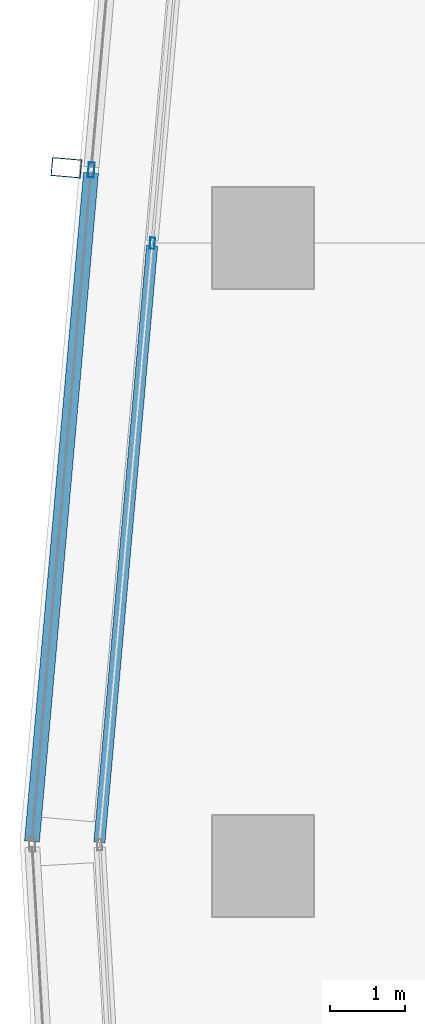
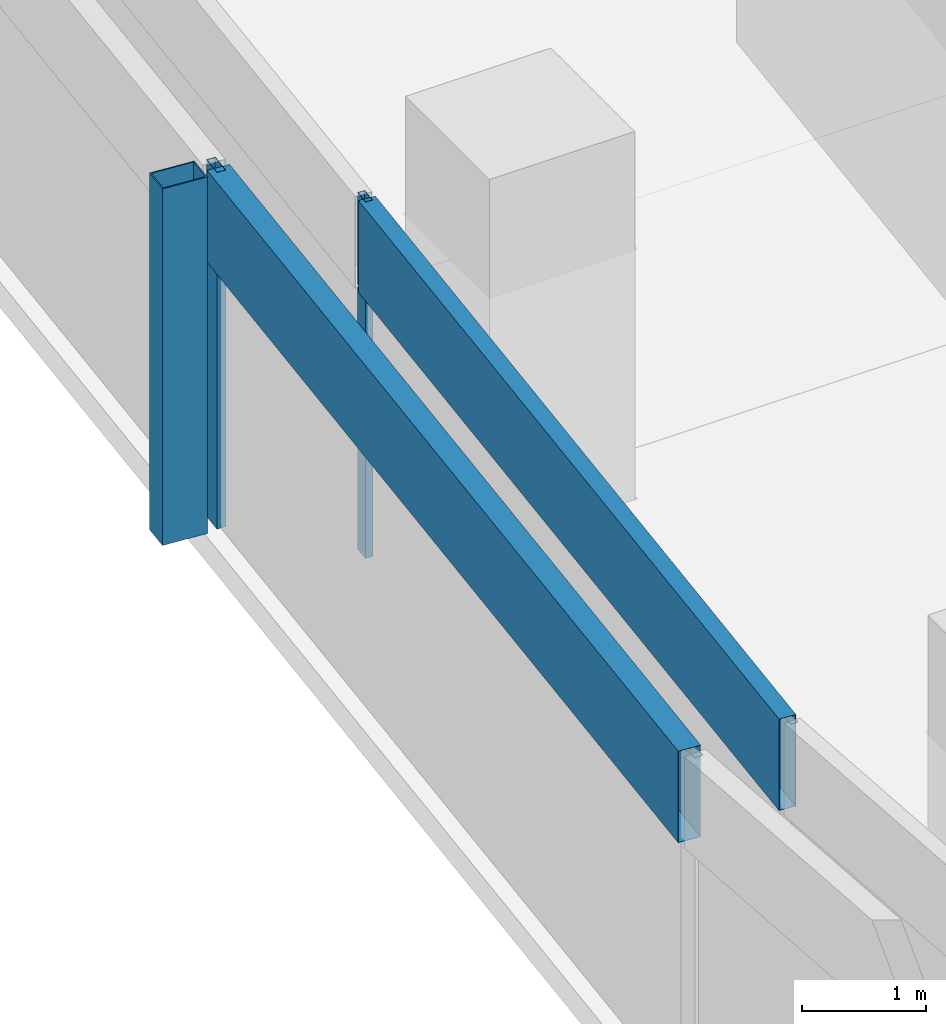
# One storey, part 16 of 40: 5 members, 2 elements without a shape of their own.
"""IFC4 building model written with IfcOpenShell, lengths in metres."""

import ifcopenshell
import ifcopenshell.guid

model = None  # the IFC model being written
_history = None  # IfcOwnerHistory: only IFC2X3 demands one
_inside = {}  # id of a spatial element -> (the spatial element, [elements in it])
_under = {}  # id of a project, library or spatial element -> (it, [spatial elements below it])
_declared = {}  # id of a project -> (the project, [libraries it declares])
_typed = {}  # id of a type object -> (the type object, [elements of that type])
_made_of = {}  # id of a material, layer set ... -> (it, [elements and type objects made of it])


def new_model(schema):
    """Start an empty IFC model of exactly this schema.

    Asked for "IFC4X3", IfcOpenShell would pick the latest addendum, in which some entities
    have other attributes; the version numbers below select the first issue.
    IFC2X3 requires an IfcOwnerHistory on every rooted entity: one is made here for all.
    """
    global model, _history
    if schema == "IFC4X3":
        model = ifcopenshell.file(schema_version=(4, 3, 0, 0))
    else:
        model = ifcopenshell.file(schema=schema)
    _inside.clear()
    _under.clear()
    _declared.clear()
    _typed.clear()
    _made_of.clear()
    _history = None
    if model.schema == "IFC2X3":
        org = make("IfcOrganization", Name="unknown")
        user = make(
            "IfcPersonAndOrganization",
            ThePerson=make("IfcPerson", FamilyName="unknown"),
            TheOrganization=org,
        )
        app = make(
            "IfcApplication",
            ApplicationDeveloper=org,
            Version="unknown",
            ApplicationFullName="unknown",
            ApplicationIdentifier="unknown",
        )
        _history = make(
            "IfcOwnerHistory",
            OwningUser=user,
            OwningApplication=app,
            ChangeAction="ADDED",
            CreationDate=0,
        )
    return model


def make(cls, **values):
    """One entity of the class cls with the attributes given. An attribute that is None is left unset."""
    return model.create_entity(
        cls, **{name: value for name, value in values.items() if value is not None}
    )


def rooted(cls, **values):
    """An entity with a GlobalId (a new one), such as an element, a storey or a relation."""
    return make(cls, GlobalId=ifcopenshell.guid.new(), OwnerHistory=_history, **values)


def si_unit(unit_type, name, prefix=None):
    """IfcSIUnit, for example si_unit("LENGTHUNIT", "METRE", prefix="MILLI")."""
    return make("IfcSIUnit", UnitType=unit_type, Prefix=prefix, Name=name)


def assignment(units):
    """IfcUnitAssignment: the units of a project."""
    return None if units is None else make("IfcUnitAssignment", Units=units)


def point(xyz):
    """IfcCartesianPoint."""
    return None if xyz is None else make("IfcCartesianPoint", Coordinates=xyz)


def direction(xyz):
    """IfcDirection."""
    return None if xyz is None else make("IfcDirection", DirectionRatios=xyz)


def frame(location, z_axis=None, x_axis=None):
    """IfcAxis2Placement3D, a coordinate frame: its origin and axes. An axis left out is left unset."""
    return make(
        "IfcAxis2Placement3D",
        Location=point(location),
        Axis=direction(z_axis),
        RefDirection=direction(x_axis),
    )


def frame_2d(location, x_axis=None):
    """IfcAxis2Placement2D, a coordinate frame in the plane: its origin and x axis."""
    return make(
        "IfcAxis2Placement2D", Location=point(location), RefDirection=direction(x_axis)
    )


def origin():
    """The frame at (0, 0, 0) with its axes left unset."""
    return frame((0.0, 0.0, 0.0))


def origin_2d():
    """The frame at (0, 0) in the plane with its x axis left unset."""
    return frame_2d((0.0, 0.0))


def place(relative_to, where):
    """IfcLocalPlacement: puts the frame where relative to a parent placement (None: the world)."""
    return make(
        "IfcLocalPlacement", PlacementRelTo=relative_to, RelativePlacement=where
    )


def context(
    kind, dimensions, precision=None, world=None, true_north=None, identifier=None
):
    """IfcGeometricRepresentationContext, for example the 3D "Model" context."""
    return make(
        "IfcGeometricRepresentationContext",
        ContextIdentifier=identifier,
        ContextType=kind,
        CoordinateSpaceDimension=dimensions,
        Precision=precision,
        WorldCoordinateSystem=world,
        TrueNorth=true_north,
    )


def subcontext(parent, identifier, kind, view, scale=None):
    """IfcGeometricRepresentationSubContext, for example "Body" below "Model"."""
    return make(
        "IfcGeometricRepresentationSubContext",
        ContextIdentifier=identifier,
        ContextType=kind,
        ParentContext=parent,
        TargetScale=scale,
        TargetView=view,
    )


def project(units=None, contexts=None):
    """IfcProject with its units and contexts."""
    return rooted(
        "IfcProject",
        Name="project",
        RepresentationContexts=contexts,
        UnitsInContext=assignment(units),
    )


def spatial(cls, under=None, at=None, **own):
    """A site, building, storey or space (cls), placed at a placement, below another one or the project."""
    s = rooted(cls, ObjectPlacement=at, **own)
    if under is not None:
        _under.setdefault(under.id(), (under, []))[1].append(s)
    return s


def profile(cls, at=None, kind="AREA", **sizes):
    """A parametric profile (cls). Its sizes go by their IFC names, for example OverallWidth=200.0."""
    return make(cls, ProfileType=kind, Position=at, **sizes)


def hollow_rectangle(**sizes):
    """IfcRectangleHollowProfileDef."""
    return profile("IfcRectangleHollowProfileDef", **sizes)


def extrude(swept, where, along, depth):
    """IfcExtrudedAreaSolid: the profile swept, set in the frame where, extruded along a direction by depth."""
    return make(
        "IfcExtrudedAreaSolid",
        SweptArea=swept,
        Position=where,
        ExtrudedDirection=direction(along),
        Depth=depth,
    )


def shape(context_of_items, identifier, shape_type, items):
    """IfcShapeRepresentation: the items that make up one representation, for example the "Body"."""
    return make(
        "IfcShapeRepresentation",
        ContextOfItems=context_of_items,
        RepresentationIdentifier=identifier,
        RepresentationType=shape_type,
        Items=items,
    )


def material(Name=None, Category=None):
    """IfcMaterial."""
    return make("IfcMaterial", Name=Name, Category=Category)


def material_profile(
    of_material, cross_section, Name=None, Category=None, Priority=None
):
    """IfcMaterialProfile: a cross section and its material."""
    return make(
        "IfcMaterialProfile",
        Name=Name,
        Material=of_material,
        Profile=cross_section,
        Priority=Priority,
        Category=Category,
    )


def profile_set(profiles, Name=None, composite=None):
    """IfcMaterialProfileSet."""
    return make(
        "IfcMaterialProfileSet",
        Name=Name,
        MaterialProfiles=profiles,
        CompositeProfile=composite,
    )


def made_of(thing, what):
    """Note that an element or type object is made of a material, layer set ...; save() writes the relation."""
    if what is not None:
        _made_of.setdefault(what.id(), (what, []))[1].append(thing)
    return thing


def type_object(cls, material=None, **own):
    """A type object (cls), such as IfcWallType, which elements share."""
    return made_of(rooted(cls, **own), material)


def element(
    cls,
    number,
    at=None,
    inside=None,
    cuts=None,
    type_object=None,
    material=None,
    context=None,
    identifier="Body",
    shape_type=None,
    held_by="IfcProductDefinitionShape",
    body=None,
    shapes=None,
    **own,
):
    """One element of the class cls, such as IfcWall. Its Tag is "e" and its number.

    at: its placement. inside: the storey or other place that contains it. cuts: it is an
    opening in that element (IfcRelVoidsElement). A single representation is given by context,
    identifier, shape_type and body (its items); several are given by shapes. held_by: the class
    of the entity that holds the representations. save() writes the other relations.
    """
    e = rooted(cls, Tag="e%d" % number, ObjectPlacement=at, **own)
    if body is not None:
        shapes = [shape(context, identifier, shape_type, body)]
    if shapes is not None:
        e.Representation = make(held_by, Representations=shapes)
    if inside is not None:
        _inside.setdefault(inside.id(), (inside, []))[1].append(e)
    if cuts is not None:
        rooted(
            "IfcRelVoidsElement", RelatingBuildingElement=cuts, RelatedOpeningElement=e
        )
    if type_object is not None:
        _typed.setdefault(type_object.id(), (type_object, []))[1].append(e)
    return made_of(e, material)


def aggregate(whole, parts):
    """IfcRelAggregates: a whole, such as a stair, and the parts it consists of."""
    return rooted("IfcRelAggregates", RelatingObject=whole, RelatedObjects=parts)


def save(model, path):
    """Write the relations noted so far, then the file.

    IfcRelAggregates (storeys below a building ...), IfcRelContainedInSpatialStructure (elements
    in a storey), IfcRelDefinesByType, IfcRelAssociatesMaterial and IfcRelDeclares: one each for
    every whole, place, type object, material and project.
    """
    for whole, parts in _under.values():
        aggregate(whole, parts)
    for where, things in _inside.values():
        rooted(
            "IfcRelContainedInSpatialStructure",
            RelatedElements=things,
            RelatingStructure=where,
        )
    for kind, things in _typed.values():
        rooted("IfcRelDefinesByType", RelatedObjects=things, RelatingType=kind)
    for what, things in _made_of.values():
        rooted("IfcRelAssociatesMaterial", RelatedObjects=things, RelatingMaterial=what)
    for by, libraries in _declared.values():
        rooted("IfcRelDeclares", RelatingContext=by, RelatedDefinitions=libraries)
    model.write(path)


model = new_model("IFC4")

# Units and contexts
model_context = context("Model", 3, precision=1e-05, world=origin(), true_north=direction((0.0, 1.0)))
body_context = subcontext(model_context, "Body", "Model", "MODEL_VIEW")
ifc_project = project(units=[si_unit("LENGTHUNIT", "METRE"), si_unit("AREAUNIT", "SQUARE_METRE"), si_unit("VOLUMEUNIT", "CUBIC_METRE"), si_unit("PLANEANGLEUNIT", "RADIAN"), si_unit("MASSUNIT", "GRAM", prefix="KILO")], contexts=[model_context])

# Site, building, storey
site_placement = place(None, origin())
site = spatial("IfcSite", under=ifc_project, at=site_placement, CompositionType="ELEMENT")
building_placement = place(site_placement, origin())
building = spatial("IfcBuilding", under=site, at=building_placement, Name="Rekha Terrace Tower", CompositionType="ELEMENT")
storey_placement = place(building_placement, frame((0.0, 0.0, 213.949951171875)))
storey = spatial("IfcBuildingStorey", under=building, at=storey_placement, Name="L54", CompositionType="ELEMENT", Elevation=213.949951171875)

# Curtain wall, member
ifc_material_1 = material(Name="Aluminium framing", Category="aluminium")
curtain_wall_type_1 = type_object("IfcCurtainWallType", Name="CW2 double skin outer glazing", PredefinedType="USERDEFINED", material=ifc_material_1)
curtain_wall_1_placement = place(storey_placement, origin())
curtain_wall_1 = element("IfcCurtainWall", 1, at=curtain_wall_1_placement, inside=storey, type_object=curtain_wall_type_1, Name="CW2 double skin outer glazing", ObjectType="DOUBLE SKIN OUTER GLAZING", PredefinedType="USERDEFINED")
ifc_material_2 = material(Name="Steel S355 with fluorocarbon finish", Category="steel")
ifc_material_profile_1 = material_profile(ifc_material_2, hollow_rectangle(XDim=0.25, YDim=0.39990234375, WallThickness=0.012451171875, at=origin_2d()), Name="RHS400x250x12.5")
ifc_profile_set_1 = profile_set([ifc_material_profile_1], Name="Steel S355 with fluorocarbon finish")
member_type_1 = type_object("IfcMemberType", Name="BL1 facade blade RHS 400 x 250", PredefinedType="USERDEFINED", material=ifc_profile_set_1)
member_1_placement = place(storey_placement, frame((5.77001953125, 51.341796875, 0.0), z_axis=(0.0, 0.0, 1.0), x_axis=(-0.087957249501, -0.996124250413, 0.0)))
member_1 = element("IfcMember", 2, at=member_1_placement, type_object=member_type_1, Name="Facade blade", ObjectType="FACADE BLADE", PredefinedType="USERDEFINED", context=body_context, shape_type="SweptSolid", body=[
    extrude(hollow_rectangle(XDim=0.25, YDim=0.39990234375, WallThickness=0.012451171875, at=origin_2d()), origin(), (0.0, 0.0, 1.0), 3.5),
])

# Curtain wall, members
curtain_wall_type_2 = type_object("IfcCurtainWallType", Name="CW1 double skin inner glazing", PredefinedType="USERDEFINED", material=ifc_material_1)
curtain_wall_2_placement = place(storey_placement, origin())
curtain_wall_2 = element("IfcCurtainWall", 3, at=curtain_wall_2_placement, inside=storey, type_object=curtain_wall_type_2, Name="CW1 double skin inner glazing", ObjectType="DOUBLE SKIN INNER GLAZING", PredefinedType="USERDEFINED")
ifc_material_3 = material(Name="Aluminium mullion section", Category="aluminium")
ifc_material_profile_2 = material_profile(ifc_material_3, hollow_rectangle(XDim=0.06494140625, YDim=0.14990234375, WallThickness=0.00390625, at=origin_2d()), Name="AL RHS 65x150")
ifc_profile_set_2 = profile_set([ifc_material_profile_2], Name="Aluminium mullion section")
member_type_2 = type_object("IfcMemberType", Name="CW1 mullion RHS 65 x 150", PredefinedType="MULLION", material=ifc_profile_set_2)
member_2_placement = place(storey_placement, frame((6.920654296875, 50.331787109375, 0.0), z_axis=(0.0, 0.0, 1.0), x_axis=(0.996124185422, -0.087957985523, 0.0)))
member_2 = element("IfcMember", 4, at=member_2_placement, type_object=member_type_2, Name="CW1 mullion 2", PredefinedType="MULLION", context=body_context, shape_type="SweptSolid", body=[
    extrude(hollow_rectangle(XDim=0.06494140625, YDim=0.14990234375, WallThickness=0.00390625, at=origin_2d()), origin(), (0.0, 0.0, 1.0), 3.5),
])
ifc_material_4 = material(Name="Insulated aluminium spandrel box", Category="aluminium")
ifc_material_profile_3 = material_profile(ifc_material_4, hollow_rectangle(XDim=0.14990234375, YDim=0.89990234375, WallThickness=0.0029296875, at=origin_2d()), Name="AL SPANDREL BOX 150x900")
ifc_profile_set_3 = profile_set([ifc_material_profile_3], Name="Insulated aluminium spandrel box")
member_type_3 = type_object("IfcMemberType", Name="CW1 spandrel transom 150 x 900", PredefinedType="USERDEFINED", material=ifc_profile_set_3)
member_3_placement = place(storey_placement, frame((6.917724609375, 50.29931640625, 3.050048828125), z_axis=(-0.087959586596, -0.996124044046, 0.0), x_axis=(0.996124044046, -0.087959586596, 0.0)))
member_3 = element("IfcMember", 5, at=member_3_placement, type_object=member_type_3, Name="CW1 spandrel transom 2", ObjectType="TRANSOM", PredefinedType="USERDEFINED", context=body_context, shape_type="SweptSolid", body=[
    extrude(hollow_rectangle(XDim=0.14990234375, YDim=0.89990234375, WallThickness=0.0029296875, at=origin_2d()), origin(), (0.0, 0.0, 1.0), 8.015869140625),
])
aggregate(curtain_wall_2, [member_2, member_3])

# Member
ifc_material_profile_4 = material_profile(ifc_material_3, hollow_rectangle(XDim=0.080078125, YDim=0.199951171875, WallThickness=0.00390625, at=origin_2d()), Name="AL RHS 80x200")
ifc_profile_set_4 = profile_set([ifc_material_profile_4], Name="Aluminium mullion section")
member_type_4 = type_object("IfcMemberType", Name="CW2 mullion RHS 80 x 200", PredefinedType="MULLION", material=ifc_profile_set_4)
member_4_placement = place(storey_placement, frame((6.103759765625, 51.312255859375, 0.0), z_axis=(0.0, 0.0, 1.0), x_axis=(0.996124185428, -0.087957985453, 0.0)))
member_4 = element("IfcMember", 6, at=member_4_placement, type_object=member_type_4, Name="CW2 mullion 2", PredefinedType="MULLION", context=body_context, shape_type="SweptSolid", body=[
    extrude(hollow_rectangle(XDim=0.080078125, YDim=0.199951171875, WallThickness=0.00390625, at=origin_2d()), origin(), (0.0, 0.0, 1.0), 3.5),
])

ifc_material_profile_5 = material_profile(ifc_material_4, hollow_rectangle(XDim=0.199951171875, YDim=0.89990234375, WallThickness=0.0029296875, at=origin_2d()), Name="AL SPANDREL BOX 200x900")
ifc_profile_set_5 = profile_set([ifc_material_profile_5], Name="Insulated aluminium spandrel box")
member_type_5 = type_object("IfcMemberType", Name="CW2 spandrel transom 200 x 900", PredefinedType="USERDEFINED", material=ifc_profile_set_5)
member_5_placement = place(storey_placement, frame((6.100341796875, 51.2724609375, 3.050048828125), z_axis=(-0.087981092326, -0.996122144816, 0.0), x_axis=(0.996122144816, -0.087981092326, 0.0)))
member_5 = element("IfcMember", 7, at=member_5_placement, type_object=member_type_5, Name="CW2 spandrel transom 2", ObjectType="TRANSOM", PredefinedType="USERDEFINED", context=body_context, shape_type="SweptSolid", body=[
    extrude(hollow_rectangle(XDim=0.199951171875, YDim=0.89990234375, WallThickness=0.0029296875, at=origin_2d()), origin(), (0.0, 0.0, 1.0), 8.979736328125),
])

aggregate(curtain_wall_1, [member_4, member_5, member_1])

save(model, "model.ifc")
